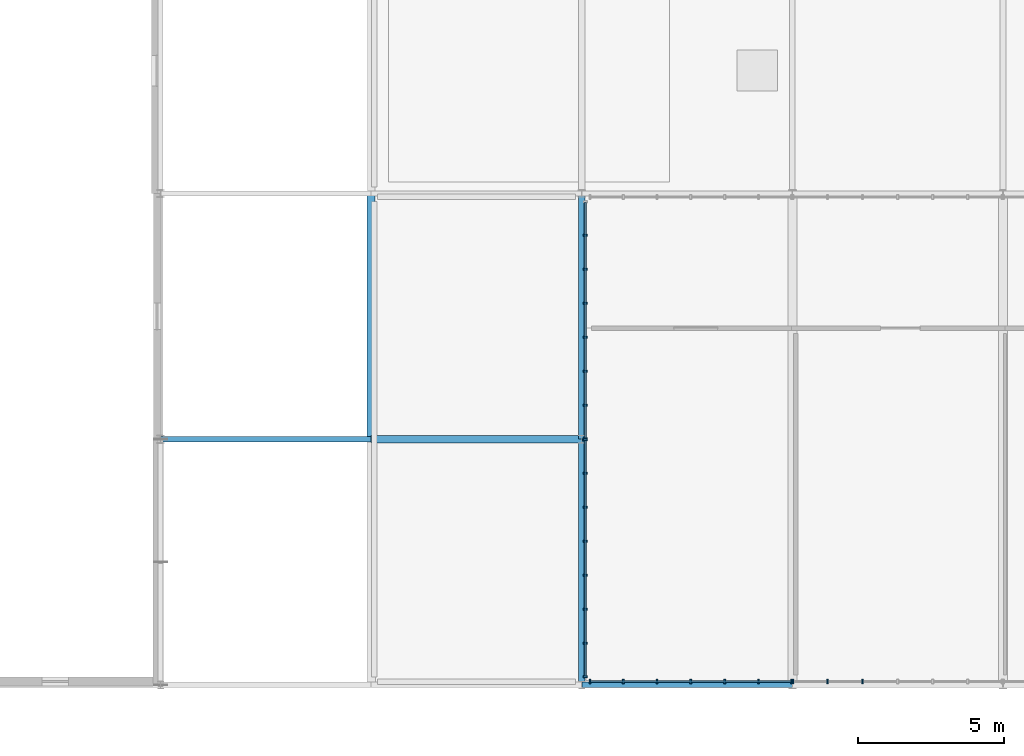
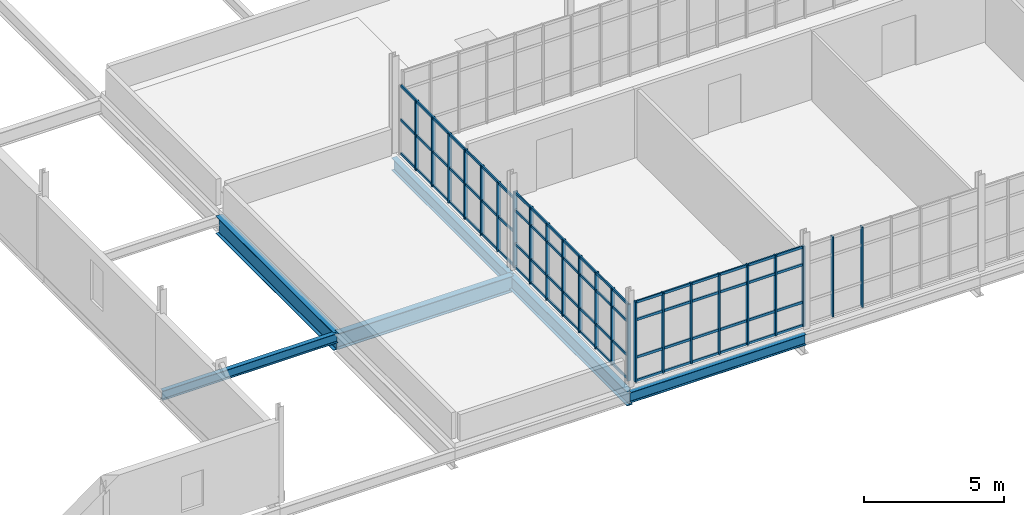
# One storey, part 32 of 119: 36 members, 6 beams, 4 elements without a shape of their own.
"""IFC4 building model written with IfcOpenShell, lengths in metres."""

from ifc_helpers import new_model, si_unit, direction, frame, origin, origin_2d, place, context, subcontext, project, spatial, rectangle, i_section, extrude, material, material_profile, profile_set, type_object, element, aggregate, save


model = new_model("IFC4")

# Units and contexts
model_context = context("Model", 3, precision=1e-05, world=origin(), true_north=direction((0.0, 1.0)))
body_context = subcontext(model_context, "Body", "Model", "MODEL_VIEW")
ifc_project = project(units=[si_unit("LENGTHUNIT", "METRE"), si_unit("AREAUNIT", "SQUARE_METRE"), si_unit("VOLUMEUNIT", "CUBIC_METRE"), si_unit("PLANEANGLEUNIT", "RADIAN"), si_unit("MASSUNIT", "GRAM", prefix="KILO")], contexts=[model_context])

# Site, building, storey
site_placement = place(None, origin())
site = spatial("IfcSite", under=ifc_project, at=site_placement, CompositionType="ELEMENT")
building_placement = place(site_placement, origin())
building = spatial("IfcBuilding", under=site, at=building_placement, Name="Qelthora Terrace Specialist Clinic", CompositionType="ELEMENT")
storey_placement = place(building_placement, frame((0.0, 0.0, 4.800048828125)))
storey = spatial("IfcBuildingStorey", under=building, at=storey_placement, Name="L01", CompositionType="ELEMENT", Elevation=4.800048828125)

# Beams
ifc_material_1 = material(Name="Steel S355", Category="steel")
ifc_material_profile_1 = material_profile(ifc_material_1, i_section(OverallWidth=0.178955078125, OverallDepth=0.409912109375, WebThickness=0.0087890625, FlangeThickness=0.014404296875, FilletRadius=0.011962890625, at=origin_2d()), Name="W410X67")
ifc_profile_set_1 = profile_set([ifc_material_profile_1], Name="Steel S355")
beam_type_1 = type_object("IfcBeamType", Name="BM-W410X67", PredefinedType="BEAM", material=ifc_profile_set_1)
beam_1_placement = place(storey_placement, frame((93.60009765625, 8.39990234375, -0.455078125), z_axis=(1.0, 0.0, 0.0), x_axis=(0.0, 1.0, 0.0)))
element("IfcBeam", 1, at=beam_1_placement, inside=storey, type_object=beam_type_1, Name="Girder BMX-L01-0154", PredefinedType="BEAM", context=body_context, shape_type="SweptSolid", body=[
    extrude(i_section(OverallWidth=0.178955078125, OverallDepth=0.409912109375, WebThickness=0.0087890625, FlangeThickness=0.014404296875, FilletRadius=0.011962890625, at=origin_2d()), origin(), (0.0, 0.0, 1.0), 7.199951171875),
])
ifc_material_profile_2 = material_profile(ifc_material_1, i_section(OverallWidth=0.2119140625, OverallDepth=0.5439453125, WebThickness=0.01318359375, FlangeThickness=0.021240234375, FilletRadius=0.013916015625, at=origin_2d()), Name="W530X123")
ifc_profile_set_2 = profile_set([ifc_material_profile_2], Name="Steel S355")
beam_type_2 = type_object("IfcBeamType", Name="BM-W530X123", PredefinedType="BEAM", material=ifc_profile_set_2)
beam_2_placement = place(storey_placement, frame((108.0, 8.39990234375, -0.52197265625), z_axis=(0.0, 1.0, 0.0), x_axis=(-1.0, 0.0, 0.0)))
element("IfcBeam", 2, at=beam_2_placement, inside=storey, type_object=beam_type_2, Name="Girder BMY-L01-0475", PredefinedType="BEAM", context=body_context, shape_type="SweptSolid", body=[
    extrude(i_section(OverallWidth=0.2119140625, OverallDepth=0.5439453125, WebThickness=0.01318359375, FlangeThickness=0.021240234375, FilletRadius=0.013916015625, at=origin_2d()), origin(), (0.0, 0.0, 1.0), 8.400146484375),
])
ifc_material_profile_3 = material_profile(ifc_material_1, i_section(OverallWidth=0.22998046875, OverallDepth=0.616943359375, WebThickness=0.01318359375, FlangeThickness=0.022216796875, FilletRadius=0.01611328125, at=origin_2d()), Name="W610X140")
ifc_profile_set_3 = profile_set([ifc_material_profile_3], Name="Steel S355")
beam_type_3 = type_object("IfcBeamType", Name="BM-W610X140", PredefinedType="BEAM", material=ifc_profile_set_3)
beam_3_placement = place(storey_placement, frame((108.0, 0.0, -0.55859375), z_axis=(0.0, 1.0, 0.0), x_axis=(-1.0, 0.0, 0.0)))
element("IfcBeam", 3, at=beam_3_placement, inside=storey, type_object=beam_type_3, Name="Girder BMY-L01-0474", PredefinedType="BEAM", context=body_context, shape_type="SweptSolid", body=[
    extrude(i_section(OverallWidth=0.22998046875, OverallDepth=0.616943359375, WebThickness=0.01318359375, FlangeThickness=0.022216796875, FilletRadius=0.01611328125, at=origin_2d()), origin(), (0.0, 0.0, 1.0), 8.39990234375),
])
ifc_material_profile_4 = material_profile(ifc_material_1, i_section(OverallWidth=0.256103515625, OverallDepth=0.693115234375, WebThickness=0.014404296875, FlangeThickness=0.023681640625, FilletRadius=0.01806640625, at=origin_2d()), Name="W690X170")
ifc_profile_set_4 = profile_set([ifc_material_profile_4], Name="Steel S355")
beam_type_4 = type_object("IfcBeamType", Name="BM-W690X170", PredefinedType="BEAM", material=ifc_profile_set_4)
beam_4_placement = place(storey_placement, frame((100.800048828125, 8.39990234375, -0.596435546875), z_axis=(1.0, 0.0, 0.0), x_axis=(0.0, 1.0, 0.0)))
element("IfcBeam", 4, at=beam_4_placement, inside=storey, type_object=beam_type_4, Name="Girder BMX-L01-0155", PredefinedType="BEAM", context=body_context, shape_type="SweptSolid", body=[
    extrude(i_section(OverallWidth=0.256103515625, OverallDepth=0.693115234375, WebThickness=0.014404296875, FlangeThickness=0.023681640625, FilletRadius=0.01806640625, at=origin_2d()), origin(), (0.0, 0.0, 1.0), 7.199951171875),
])
ifc_material_profile_5 = material_profile(ifc_material_1, i_section(OverallWidth=0.26806640625, OverallDepth=0.77001953125, WebThickness=0.015625, FlangeThickness=0.025390625, FilletRadius=0.01904296875, at=origin_2d()), Name="W760X196")
ifc_profile_set_5 = profile_set([ifc_material_profile_5], Name="Steel S355")
beam_type_5 = type_object("IfcBeamType", Name="BM-W760X196", PredefinedType="BEAM", material=ifc_profile_set_5)
beam_5_placement = place(storey_placement, frame((100.800048828125, 8.39990234375, -0.635009765625), z_axis=(0.0, 1.0, 0.0), x_axis=(-1.0, 0.0, 0.0)))
element("IfcBeam", 5, at=beam_5_placement, inside=storey, type_object=beam_type_5, Name="Girder BMY-L01-0462", PredefinedType="BEAM", context=body_context, shape_type="SweptSolid", body=[
    extrude(i_section(OverallWidth=0.26806640625, OverallDepth=0.77001953125, WebThickness=0.015625, FlangeThickness=0.025390625, FilletRadius=0.01904296875, at=origin_2d()), origin(), (0.0, 0.0, 1.0), 8.400146484375),
])

# Curtain wall, members
ifc_material_2 = material(Name="Aluminium anodized bronze", Category="aluminium")
curtain_wall_type = type_object("IfcCurtainWallType", Name="CW-CONS-UP", PredefinedType="NOTDEFINED", material=ifc_material_2)
curtain_wall_1_placement = place(storey_placement, origin())
curtain_wall_1 = element("IfcCurtainWall", 6, at=curtain_wall_1_placement, inside=storey, type_object=curtain_wall_type, Name="Curtain wall CW-L01-248", PredefinedType="NOTDEFINED")
ifc_material_profile_6 = material_profile(ifc_material_2, rectangle(XDim=0.06005859375, YDim=0.14990234375, at=origin_2d()), Name="CWM60X150")
ifc_profile_set_6 = profile_set([ifc_material_profile_6], Name="Aluminium anodized bronze")
member_type_1 = type_object("IfcMemberType", Name="CWM-60X150", PredefinedType="MULLION", material=ifc_profile_set_6)
member_1_placement = place(storey_placement, frame((108.280029296875, 0.1201171875, 0.0), z_axis=(0.0, 0.0, 1.0), x_axis=(1.0, 0.0, 0.0)))
member_1 = element("IfcMember", 7, at=member_1_placement, type_object=member_type_1, Name="CW-L01-248 mullion 1", PredefinedType="MULLION", context=body_context, shape_type="SweptSolid", body=[
    extrude(rectangle(XDim=0.06005859375, YDim=0.14990234375, at=origin_2d()), origin(), (0.0, 0.0, 1.0), 3.48193359375),
])
member_2_placement = place(storey_placement, frame((109.416748046875, 0.1201171875, 0.0), z_axis=(0.0, 0.0, 1.0), x_axis=(1.0, 0.0, 0.0)))
member_2 = element("IfcMember", 8, at=member_2_placement, type_object=member_type_1, Name="CW-L01-248 mullion 2", PredefinedType="MULLION", context=body_context, shape_type="SweptSolid", body=[
    extrude(rectangle(XDim=0.06005859375, YDim=0.14990234375, at=origin_2d()), origin(), (0.0, 0.0, 1.0), 3.48193359375),
])
member_3_placement = place(storey_placement, frame((110.5732421875, 0.1201171875, 0.0), z_axis=(0.0, 0.0, 1.0), x_axis=(1.0, 0.0, 0.0)))
member_3 = element("IfcMember", 9, at=member_3_placement, type_object=member_type_1, Name="CW-L01-248 mullion 3", PredefinedType="MULLION", context=body_context, shape_type="SweptSolid", body=[
    extrude(rectangle(XDim=0.06005859375, YDim=0.14990234375, at=origin_2d()), origin(), (0.0, 0.0, 1.0), 3.48193359375),
])
member_4_placement = place(storey_placement, frame((111.72998046875, 0.1201171875, 0.0), z_axis=(0.0, 0.0, 1.0), x_axis=(1.0, 0.0, 0.0)))
member_4 = element("IfcMember", 10, at=member_4_placement, type_object=member_type_1, Name="CW-L01-248 mullion 4", PredefinedType="MULLION", context=body_context, shape_type="SweptSolid", body=[
    extrude(rectangle(XDim=0.06005859375, YDim=0.14990234375, at=origin_2d()), origin(), (0.0, 0.0, 1.0), 3.48193359375),
])
member_5_placement = place(storey_placement, frame((112.88671875, 0.1201171875, 0.0), z_axis=(0.0, 0.0, 1.0), x_axis=(1.0, 0.0, 0.0)))
member_5 = element("IfcMember", 11, at=member_5_placement, type_object=member_type_1, Name="CW-L01-248 mullion 5", PredefinedType="MULLION", context=body_context, shape_type="SweptSolid", body=[
    extrude(rectangle(XDim=0.06005859375, YDim=0.14990234375, at=origin_2d()), origin(), (0.0, 0.0, 1.0), 3.48193359375),
])
member_6_placement = place(storey_placement, frame((114.043212890625, 0.1201171875, 0.0), z_axis=(0.0, 0.0, 1.0), x_axis=(1.0, 0.0, 0.0)))
member_6 = element("IfcMember", 12, at=member_6_placement, type_object=member_type_1, Name="CW-L01-248 mullion 6", PredefinedType="MULLION", context=body_context, shape_type="SweptSolid", body=[
    extrude(rectangle(XDim=0.06005859375, YDim=0.14990234375, at=origin_2d()), origin(), (0.0, 0.0, 1.0), 3.48193359375),
])
member_7_placement = place(storey_placement, frame((115.179931640625, 0.1201171875, 0.0), z_axis=(0.0, 0.0, 1.0), x_axis=(1.0, 0.0, 0.0)))
member_7 = element("IfcMember", 13, at=member_7_placement, type_object=member_type_1, Name="CW-L01-248 mullion 7", PredefinedType="MULLION", context=body_context, shape_type="SweptSolid", body=[
    extrude(rectangle(XDim=0.06005859375, YDim=0.14990234375, at=origin_2d()), origin(), (0.0, 0.0, 1.0), 3.48193359375),
])

curtain_wall_2_placement = place(storey_placement, origin())
curtain_wall_2 = element("IfcCurtainWall", 14, at=curtain_wall_2_placement, inside=storey, type_object=curtain_wall_type, Name="Curtain wall CW-L01-249", PredefinedType="NOTDEFINED")
member_8_placement = place(storey_placement, frame((115.219970703125, 0.1201171875, 0.0), z_axis=(0.0, 0.0, 1.0), x_axis=(1.0, 0.0, 0.0)))
member_8 = element("IfcMember", 15, at=member_8_placement, type_object=member_type_1, Name="CW-L01-249 mullion 1", PredefinedType="MULLION", context=body_context, shape_type="SweptSolid", body=[
    extrude(rectangle(XDim=0.06005859375, YDim=0.14990234375, at=origin_2d()), origin(), (0.0, 0.0, 1.0), 3.48193359375),
])
member_9_placement = place(storey_placement, frame((116.39990234375, 0.1201171875, 0.0), z_axis=(0.0, 0.0, 1.0), x_axis=(1.0, 0.0, 0.0)))
member_9 = element("IfcMember", 16, at=member_9_placement, type_object=member_type_1, Name="CW-L01-249 mullion 2", PredefinedType="MULLION", context=body_context, shape_type="SweptSolid", body=[
    extrude(rectangle(XDim=0.06005859375, YDim=0.14990234375, at=origin_2d()), origin(), (0.0, 0.0, 1.0), 3.48193359375),
])
member_10_placement = place(storey_placement, frame((117.60009765625, 0.1201171875, 0.0), z_axis=(0.0, 0.0, 1.0), x_axis=(1.0, 0.0, 0.0)))
member_10 = element("IfcMember", 17, at=member_10_placement, type_object=member_type_1, Name="CW-L01-249 mullion 3", PredefinedType="MULLION", context=body_context, shape_type="SweptSolid", body=[
    extrude(rectangle(XDim=0.06005859375, YDim=0.14990234375, at=origin_2d()), origin(), (0.0, 0.0, 1.0), 3.48193359375),
])
aggregate(curtain_wall_2, [member_8, member_9, member_10])

curtain_wall_3_placement = place(storey_placement, origin())
curtain_wall_3 = element("IfcCurtainWall", 18, at=curtain_wall_3_placement, inside=storey, type_object=curtain_wall_type, Name="Curtain wall CW-L01-254", PredefinedType="NOTDEFINED")
member_11_placement = place(storey_placement, frame((108.1201171875, 0.280029296875, 0.0), z_axis=(0.0, 0.0, 1.0), x_axis=(0.0, 1.0, 0.0)))
member_11 = element("IfcMember", 19, at=member_11_placement, type_object=member_type_1, Name="CW-L01-254 mullion 1", PredefinedType="MULLION", context=body_context, shape_type="SweptSolid", body=[
    extrude(rectangle(XDim=0.06005859375, YDim=0.14990234375, at=origin_2d()), origin(), (0.0, 0.0, 1.0), 3.324951171875),
])
member_12_placement = place(storey_placement, frame((108.1201171875, 1.4228515625, 0.0), z_axis=(0.0, 0.0, 1.0), x_axis=(0.0, 1.0, 0.0)))
member_12 = element("IfcMember", 20, at=member_12_placement, type_object=member_type_1, Name="CW-L01-254 mullion 2", PredefinedType="MULLION", context=body_context, shape_type="SweptSolid", body=[
    extrude(rectangle(XDim=0.06005859375, YDim=0.14990234375, at=origin_2d()), origin(), (0.0, 0.0, 1.0), 3.324951171875),
])
member_13_placement = place(storey_placement, frame((108.1201171875, 2.585693359375, 0.0), z_axis=(0.0, 0.0, 1.0), x_axis=(0.0, 1.0, 0.0)))
member_13 = element("IfcMember", 21, at=member_13_placement, type_object=member_type_1, Name="CW-L01-254 mullion 3", PredefinedType="MULLION", context=body_context, shape_type="SweptSolid", body=[
    extrude(rectangle(XDim=0.06005859375, YDim=0.14990234375, at=origin_2d()), origin(), (0.0, 0.0, 1.0), 3.324951171875),
])
member_14_placement = place(storey_placement, frame((108.1201171875, 3.74853515625, 0.0), z_axis=(0.0, 0.0, 1.0), x_axis=(0.0, 1.0, 0.0)))
member_14 = element("IfcMember", 22, at=member_14_placement, type_object=member_type_1, Name="CW-L01-254 mullion 4", PredefinedType="MULLION", context=body_context, shape_type="SweptSolid", body=[
    extrude(rectangle(XDim=0.06005859375, YDim=0.14990234375, at=origin_2d()), origin(), (0.0, 0.0, 1.0), 3.324951171875),
])
member_15_placement = place(storey_placement, frame((108.1201171875, 4.911376953125, 0.0), z_axis=(0.0, 0.0, 1.0), x_axis=(0.0, 1.0, 0.0)))
member_15 = element("IfcMember", 23, at=member_15_placement, type_object=member_type_1, Name="CW-L01-254 mullion 5", PredefinedType="MULLION", context=body_context, shape_type="SweptSolid", body=[
    extrude(rectangle(XDim=0.06005859375, YDim=0.14990234375, at=origin_2d()), origin(), (0.0, 0.0, 1.0), 3.324951171875),
])
member_16_placement = place(storey_placement, frame((108.1201171875, 6.07421875, 0.0), z_axis=(0.0, 0.0, 1.0), x_axis=(0.0, 1.0, 0.0)))
member_16 = element("IfcMember", 24, at=member_16_placement, type_object=member_type_1, Name="CW-L01-254 mullion 6", PredefinedType="MULLION", context=body_context, shape_type="SweptSolid", body=[
    extrude(rectangle(XDim=0.06005859375, YDim=0.14990234375, at=origin_2d()), origin(), (0.0, 0.0, 1.0), 3.324951171875),
])
member_17_placement = place(storey_placement, frame((108.1201171875, 7.237060546875, 0.0), z_axis=(0.0, 0.0, 1.0), x_axis=(0.0, 1.0, 0.0)))
member_17 = element("IfcMember", 25, at=member_17_placement, type_object=member_type_1, Name="CW-L01-254 mullion 7", PredefinedType="MULLION", context=body_context, shape_type="SweptSolid", body=[
    extrude(rectangle(XDim=0.06005859375, YDim=0.14990234375, at=origin_2d()), origin(), (0.0, 0.0, 1.0), 3.324951171875),
])
member_18_placement = place(storey_placement, frame((108.1201171875, 8.3798828125, 0.0), z_axis=(0.0, 0.0, 1.0), x_axis=(0.0, 1.0, 0.0)))
member_18 = element("IfcMember", 26, at=member_18_placement, type_object=member_type_1, Name="CW-L01-254 mullion 8", PredefinedType="MULLION", context=body_context, shape_type="SweptSolid", body=[
    extrude(rectangle(XDim=0.06005859375, YDim=0.14990234375, at=origin_2d()), origin(), (0.0, 0.0, 1.0), 3.324951171875),
])

curtain_wall_4_placement = place(storey_placement, origin())
curtain_wall_4 = element("IfcCurtainWall", 27, at=curtain_wall_4_placement, inside=storey, type_object=curtain_wall_type, Name="Curtain wall CW-L01-255", PredefinedType="NOTDEFINED")
member_19_placement = place(storey_placement, frame((108.1201171875, 8.419921875, 0.0), z_axis=(0.0, 0.0, 1.0), x_axis=(0.0, 1.0, 0.0)))
member_19 = element("IfcMember", 28, at=member_19_placement, type_object=member_type_1, Name="CW-L01-255 mullion 1", PredefinedType="MULLION", context=body_context, shape_type="SweptSolid", body=[
    extrude(rectangle(XDim=0.06005859375, YDim=0.14990234375, at=origin_2d()), origin(), (0.0, 0.0, 1.0), 3.014892578125),
])
member_20_placement = place(storey_placement, frame((108.1201171875, 9.562744140625, 0.0), z_axis=(0.0, 0.0, 1.0), x_axis=(0.0, 1.0, 0.0)))
member_20 = element("IfcMember", 29, at=member_20_placement, type_object=member_type_1, Name="CW-L01-255 mullion 2", PredefinedType="MULLION", context=body_context, shape_type="SweptSolid", body=[
    extrude(rectangle(XDim=0.06005859375, YDim=0.14990234375, at=origin_2d()), origin(), (0.0, 0.0, 1.0), 3.014892578125),
])
member_21_placement = place(storey_placement, frame((108.1201171875, 10.725830078125, 0.0), z_axis=(0.0, 0.0, 1.0), x_axis=(0.0, 1.0, 0.0)))
member_21 = element("IfcMember", 30, at=member_21_placement, type_object=member_type_1, Name="CW-L01-255 mullion 3", PredefinedType="MULLION", context=body_context, shape_type="SweptSolid", body=[
    extrude(rectangle(XDim=0.06005859375, YDim=0.14990234375, at=origin_2d()), origin(), (0.0, 0.0, 1.0), 3.014892578125),
])
member_22_placement = place(storey_placement, frame((108.1201171875, 11.888671875, 0.0), z_axis=(0.0, 0.0, 1.0), x_axis=(0.0, 1.0, 0.0)))
member_22 = element("IfcMember", 31, at=member_22_placement, type_object=member_type_1, Name="CW-L01-255 mullion 4", PredefinedType="MULLION", context=body_context, shape_type="SweptSolid", body=[
    extrude(rectangle(XDim=0.06005859375, YDim=0.14990234375, at=origin_2d()), origin(), (0.0, 0.0, 1.0), 3.014892578125),
])
member_23_placement = place(storey_placement, frame((108.1201171875, 13.051513671875, 0.0), z_axis=(0.0, 0.0, 1.0), x_axis=(0.0, 1.0, 0.0)))
member_23 = element("IfcMember", 32, at=member_23_placement, type_object=member_type_1, Name="CW-L01-255 mullion 5", PredefinedType="MULLION", context=body_context, shape_type="SweptSolid", body=[
    extrude(rectangle(XDim=0.06005859375, YDim=0.14990234375, at=origin_2d()), origin(), (0.0, 0.0, 1.0), 3.014892578125),
])
member_24_placement = place(storey_placement, frame((108.1201171875, 14.21435546875, 0.0), z_axis=(0.0, 0.0, 1.0), x_axis=(0.0, 1.0, 0.0)))
member_24 = element("IfcMember", 33, at=member_24_placement, type_object=member_type_1, Name="CW-L01-255 mullion 6", PredefinedType="MULLION", context=body_context, shape_type="SweptSolid", body=[
    extrude(rectangle(XDim=0.06005859375, YDim=0.14990234375, at=origin_2d()), origin(), (0.0, 0.0, 1.0), 3.014892578125),
])
member_25_placement = place(storey_placement, frame((108.1201171875, 15.377197265625, 0.0), z_axis=(0.0, 0.0, 1.0), x_axis=(0.0, 1.0, 0.0)))
member_25 = element("IfcMember", 34, at=member_25_placement, type_object=member_type_1, Name="CW-L01-255 mullion 7", PredefinedType="MULLION", context=body_context, shape_type="SweptSolid", body=[
    extrude(rectangle(XDim=0.06005859375, YDim=0.14990234375, at=origin_2d()), origin(), (0.0, 0.0, 1.0), 3.014892578125),
])

# Member
ifc_material_profile_7 = material_profile(ifc_material_2, rectangle(XDim=0.06005859375, YDim=0.110107421875, at=origin_2d()), Name="CWT60X110")
ifc_profile_set_7 = profile_set([ifc_material_profile_7], Name="Aluminium anodized bronze")
member_type_2 = type_object("IfcMemberType", Name="CWT-60X110", PredefinedType="USERDEFINED", material=ifc_profile_set_7)
member_26_placement = place(storey_placement, frame((108.300048828125, 0.1201171875, 0.0400390625), z_axis=(1.0, 0.0, 0.0), x_axis=(0.0, 1.0, 0.0)))
member_26 = element("IfcMember", 35, at=member_26_placement, type_object=member_type_2, Name="CW-L01-248 transom 1", ObjectType="TRANSOM", PredefinedType="USERDEFINED", context=body_context, shape_type="SweptSolid", body=[
    extrude(rectangle(XDim=0.06005859375, YDim=0.110107421875, at=origin_2d()), origin(), (0.0, 0.0, 1.0), 6.85986328125),
])

member_27_placement = place(storey_placement, frame((108.300048828125, 0.1201171875, 1.050048828125), z_axis=(1.0, 0.0, 0.0), x_axis=(0.0, 1.0, 0.0)))
member_27 = element("IfcMember", 36, at=member_27_placement, type_object=member_type_2, Name="CW-L01-248 transom 2", ObjectType="TRANSOM", PredefinedType="USERDEFINED", context=body_context, shape_type="SweptSolid", body=[
    extrude(rectangle(XDim=0.06005859375, YDim=0.110107421875, at=origin_2d()), origin(), (0.0, 0.0, 1.0), 6.85986328125),
])

member_28_placement = place(storey_placement, frame((108.300048828125, 0.1201171875, 2.681884765625), z_axis=(1.0, 0.0, 0.0), x_axis=(0.0, 1.0, 0.0)))
member_28 = element("IfcMember", 37, at=member_28_placement, type_object=member_type_2, Name="CW-L01-248 transom 3", ObjectType="TRANSOM", PredefinedType="USERDEFINED", context=body_context, shape_type="SweptSolid", body=[
    extrude(rectangle(XDim=0.06005859375, YDim=0.110107421875, at=origin_2d()), origin(), (0.0, 0.0, 1.0), 6.85986328125),
])

member_29_placement = place(storey_placement, frame((108.300048828125, 0.1201171875, 3.44189453125), z_axis=(1.0, 0.0, 0.0), x_axis=(0.0, 1.0, 0.0)))
member_29 = element("IfcMember", 38, at=member_29_placement, type_object=member_type_2, Name="CW-L01-248 transom 4", ObjectType="TRANSOM", PredefinedType="USERDEFINED", context=body_context, shape_type="SweptSolid", body=[
    extrude(rectangle(XDim=0.06005859375, YDim=0.110107421875, at=origin_2d()), origin(), (0.0, 0.0, 1.0), 6.85986328125),
])

aggregate(curtain_wall_1, [member_1, member_2, member_3, member_4, member_5, member_6, member_7, member_26, member_27, member_28, member_29])

member_30_placement = place(storey_placement, frame((108.1201171875, 0.300048828125, 0.0400390625), z_axis=(0.0, 1.0, 0.0), x_axis=(-1.0, 0.0, 0.0)))
member_30 = element("IfcMember", 39, at=member_30_placement, type_object=member_type_2, Name="CW-L01-254 transom 1", ObjectType="TRANSOM", PredefinedType="USERDEFINED", context=body_context, shape_type="SweptSolid", body=[
    extrude(rectangle(XDim=0.06005859375, YDim=0.110107421875, at=origin_2d()), origin(), (0.0, 0.0, 1.0), 8.06005859375),
])

member_31_placement = place(storey_placement, frame((108.1201171875, 0.300048828125, 1.050048828125), z_axis=(0.0, 1.0, 0.0), x_axis=(-1.0, 0.0, 0.0)))
member_31 = element("IfcMember", 40, at=member_31_placement, type_object=member_type_2, Name="CW-L01-254 transom 2", ObjectType="TRANSOM", PredefinedType="USERDEFINED", context=body_context, shape_type="SweptSolid", body=[
    extrude(rectangle(XDim=0.06005859375, YDim=0.110107421875, at=origin_2d()), origin(), (0.0, 0.0, 1.0), 8.06005859375),
])

member_32_placement = place(storey_placement, frame((108.1201171875, 0.300048828125, 2.52490234375), z_axis=(0.0, 1.0, 0.0), x_axis=(-1.0, 0.0, 0.0)))
member_32 = element("IfcMember", 41, at=member_32_placement, type_object=member_type_2, Name="CW-L01-254 transom 3", ObjectType="TRANSOM", PredefinedType="USERDEFINED", context=body_context, shape_type="SweptSolid", body=[
    extrude(rectangle(XDim=0.06005859375, YDim=0.110107421875, at=origin_2d()), origin(), (0.0, 0.0, 1.0), 8.06005859375),
])

member_33_placement = place(storey_placement, frame((108.1201171875, 0.300048828125, 3.284912109375), z_axis=(0.0, 1.0, 0.0), x_axis=(-1.0, 0.0, 0.0)))
member_33 = element("IfcMember", 42, at=member_33_placement, type_object=member_type_2, Name="CW-L01-254 transom 4", ObjectType="TRANSOM", PredefinedType="USERDEFINED", context=body_context, shape_type="SweptSolid", body=[
    extrude(rectangle(XDim=0.06005859375, YDim=0.110107421875, at=origin_2d()), origin(), (0.0, 0.0, 1.0), 8.06005859375),
])

aggregate(curtain_wall_3, [member_11, member_12, member_13, member_14, member_15, member_16, member_17, member_18, member_30, member_31, member_32, member_33])

member_34_placement = place(storey_placement, frame((108.1201171875, 8.43994140625, 0.0400390625), z_axis=(0.0, 1.0, 0.0), x_axis=(-1.0, 0.0, 0.0)))
member_34 = element("IfcMember", 43, at=member_34_placement, type_object=member_type_2, Name="CW-L01-255 transom 1", ObjectType="TRANSOM", PredefinedType="USERDEFINED", context=body_context, shape_type="SweptSolid", body=[
    extrude(rectangle(XDim=0.06005859375, YDim=0.110107421875, at=origin_2d()), origin(), (0.0, 0.0, 1.0), 8.06005859375),
])

member_35_placement = place(storey_placement, frame((108.1201171875, 8.43994140625, 1.507568359375), z_axis=(0.0, 1.0, 0.0), x_axis=(-1.0, 0.0, 0.0)))
member_35 = element("IfcMember", 44, at=member_35_placement, type_object=member_type_2, Name="CW-L01-255 transom 2", ObjectType="TRANSOM", PredefinedType="USERDEFINED", context=body_context, shape_type="SweptSolid", body=[
    extrude(rectangle(XDim=0.06005859375, YDim=0.110107421875, at=origin_2d()), origin(), (0.0, 0.0, 1.0), 8.06005859375),
])

member_36_placement = place(storey_placement, frame((108.1201171875, 8.43994140625, 2.974853515625), z_axis=(0.0, 1.0, 0.0), x_axis=(-1.0, 0.0, 0.0)))
member_36 = element("IfcMember", 45, at=member_36_placement, type_object=member_type_2, Name="CW-L01-255 transom 3", ObjectType="TRANSOM", PredefinedType="USERDEFINED", context=body_context, shape_type="SweptSolid", body=[
    extrude(rectangle(XDim=0.06005859375, YDim=0.110107421875, at=origin_2d()), origin(), (0.0, 0.0, 1.0), 8.06005859375),
])

aggregate(curtain_wall_4, [member_19, member_20, member_21, member_22, member_23, member_24, member_25, member_34, member_35, member_36])

# Beam
ifc_material_profile_8 = material_profile(ifc_material_1, i_section(OverallWidth=0.19091796875, OverallDepth=0.4599609375, WebThickness=0.010009765625, FlangeThickness=0.01611328125, FilletRadius=0.012939453125, at=origin_2d()), Name="W460X82")
ifc_profile_set_8 = profile_set([ifc_material_profile_8], Name="Steel S355")
beam_type_6 = type_object("IfcBeamType", Name="SPD-W460X82", PredefinedType="SPANDREL", material=ifc_profile_set_8)
beam_6_placement = place(storey_placement, frame((108.0, 0.0, -0.47998046875), z_axis=(1.0, 0.0, 0.0), x_axis=(0.0, 1.0, 0.0)))
element("IfcBeam", 46, at=beam_6_placement, inside=storey, type_object=beam_type_6, Name="Girder BMX-L01-0140", PredefinedType="SPANDREL", context=body_context, shape_type="SweptSolid", body=[
    extrude(i_section(OverallWidth=0.19091796875, OverallDepth=0.4599609375, WebThickness=0.010009765625, FlangeThickness=0.01611328125, FilletRadius=0.012939453125, at=origin_2d()), origin(), (0.0, 0.0, 1.0), 7.199951171875),
])

save(model, "model.ifc")
